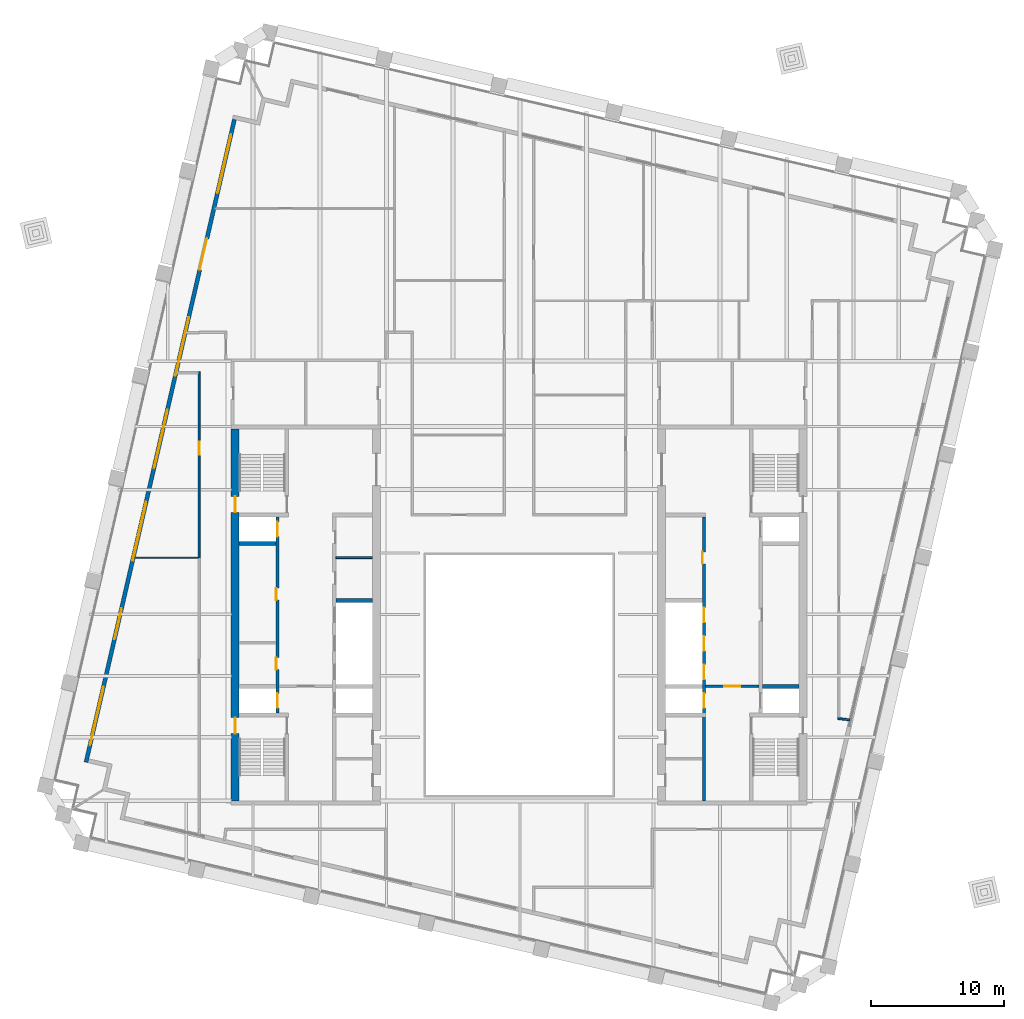
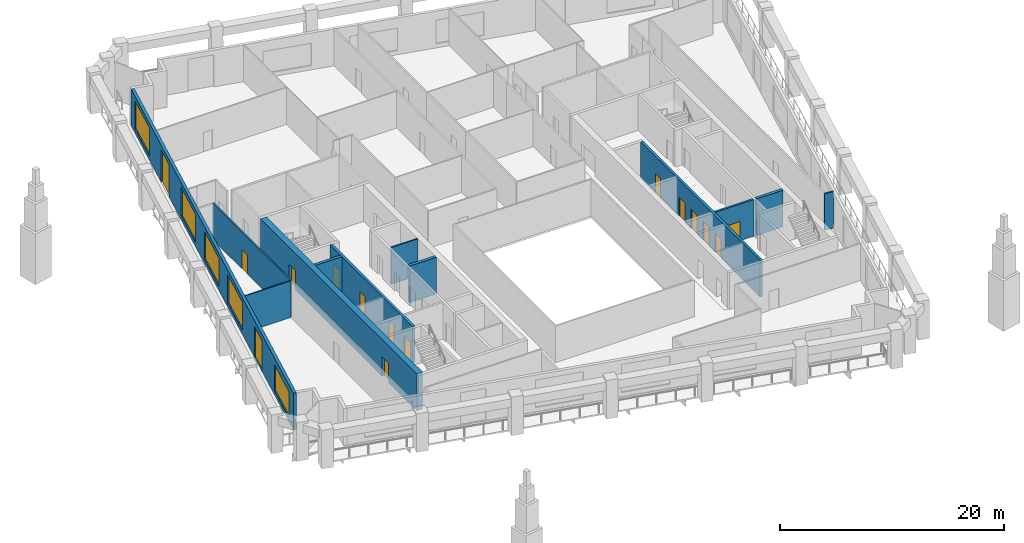
# One storey, part 5 of 9: 15 doors, 12 walls, 5 windows, 20 openings.
"""IFC4 building model written with IfcOpenShell, lengths in metres."""

from ifc_helpers import new_model, si_unit, direction, frame, frame_2d, origin, place, context, subcontext, project, spatial, rectangle, extrude, material, layer, layer_set, type_object, element, fill, save


model = new_model("IFC4")

# Units and contexts
model_context = context("Model", 3, precision=1e-05, world=origin(), true_north=direction((0.0, 1.0)))
body_context = subcontext(model_context, "Body", "Model", "MODEL_VIEW")
ifc_project = project(units=[si_unit("LENGTHUNIT", "METRE"), si_unit("AREAUNIT", "SQUARE_METRE"), si_unit("VOLUMEUNIT", "CUBIC_METRE"), si_unit("PLANEANGLEUNIT", "RADIAN"), si_unit("MASSUNIT", "GRAM", prefix="KILO")], contexts=[model_context])

# Site, building, storey
site_placement = place(None, origin())
site = spatial("IfcSite", under=ifc_project, at=site_placement, CompositionType="ELEMENT")
building_placement = place(site_placement, origin())
building = spatial("IfcBuilding", under=site, at=building_placement, Name="Ogive Exchange Tower", CompositionType="ELEMENT")
storey_placement = place(building_placement, frame((0.0, 0.0, 243.0)))
storey = spatial("IfcBuildingStorey", under=building, at=storey_placement, Name="L52", CompositionType="ELEMENT", Elevation=243.0)

# Wall
ifc_material_1 = material(Name="Gypsum board partition")
ifc_layer_1 = layer(ifc_material_1, 0.14990234375)
ifc_layer_set_1 = layer_set([ifc_layer_1], Name="Core room partition 150 gypsum")
wall_type_1 = type_object("IfcWallType", Name="Core room partition 150 gypsum", PredefinedType="PARTITIONING", material=ifc_layer_set_1)
wall_1_placement = place(storey_placement, frame((-13.75, 15.800048828125, 0.0), z_axis=(0.0, 0.0, 1.0), x_axis=(1.0, 0.0, 0.0)))
element("IfcWall", 1, at=wall_1_placement, inside=storey, type_object=wall_type_1, Name="W row B bay partition 4-1", PredefinedType="PARTITIONING", context=body_context, shape_type="SweptSolid", body=[
    extrude(rectangle(XDim=2.75, YDim=0.14990234375, at=frame_2d((1.375, 0.0))), origin(), (0.0, 0.0, 1.0), 4.0),
])

# Wall, opening, door
ifc_material_2 = material(Name="Fire partition EI 60 150")
ifc_layer_2 = layer(ifc_material_2, 0.14990234375)
ifc_layer_set_2 = layer_set([ifc_layer_2], Name="Fire partition EI 60 150")
wall_type_2 = type_object("IfcWallType", Name="Fire partition EI 60 150", PredefinedType="PARTITIONING", material=ifc_layer_set_2)
wall_2_placement = place(storey_placement, frame((-24.0, 15.7900390625, 0.0), z_axis=(0.0, 0.0, 1.0), x_axis=(0.0, 1.0, 0.0)))
wall_2 = element("IfcWall", 2, at=wall_2_placement, inside=storey, type_object=wall_type_2, Name="L52-PWL-004", PredefinedType="PARTITIONING", context=body_context, shape_type="SweptSolid", body=[
    extrude(rectangle(XDim=13.945068359375, YDim=0.14990234375, at=frame_2d((6.97265625, 0.0))), origin(), (0.0, 0.0, 1.0), 4.0),
])
opening_1_placement = place(wall_2_placement, frame((7.719970703125, 0.0, 0.0)))
opening_1 = element("IfcOpeningElement", 3, at=opening_1_placement, cuts=wall_2, Name="Opening L52-I04", PredefinedType="OPENING", context=body_context, shape_type="SweptSolid", body=[
    extrude(rectangle(XDim=1.0, YDim=2.10009765625, at=frame_2d((0.5, 1.050048828125))), frame((0.0, 0.0849609375, 0.0), z_axis=(0.0, -1.0, 0.0), x_axis=(1.0, 0.0, 0.0)), (0.0, 0.0, 1.0), 0.169921875),
])
ifc_material_3 = material(Name="Fire door FD 30S 1000 x 2100")
door_type_1 = type_object("IfcDoorType", Name="Fire door FD 30S 1000 x 2100", OperationType="NOTDEFINED", PredefinedType="DOOR", material=ifc_material_3)
door_1_placement = place(opening_1_placement, origin())
door_1 = element("IfcDoor", 4, at=door_1_placement, inside=storey, type_object=door_type_1, Name="L52-IDR-004", ObjectType="DT3", OperationType="SINGLE_SWING_LEFT", OverallHeight=2.10009765625, OverallWidth=1.0, PredefinedType="DOOR", context=body_context, shape_type="SweptSolid", body=[
    extrude(rectangle(XDim=1.0, YDim=2.10009765625, at=frame_2d((0.5, 1.050048828125))), frame((0.0, 0.02490234375, 0.0), z_axis=(0.0, -1.0, 0.0), x_axis=(1.0, 0.0, 0.0)), (0.0, 0.0, 1.0), 0.050048828125),
])
fill(opening_1, door_1)

# Wall
wall_3_placement = place(storey_placement, frame((23.925048828125, 3.72900390625, 0.0), z_axis=(0.0, 0.0, 1.0), x_axis=(0.993316052643, -0.115426251616, 0.0)))
element("IfcWall", 5, at=wall_3_placement, inside=storey, type_object=wall_type_2, Name="L52-PWL-054", PredefinedType="PARTITIONING", context=body_context, shape_type="SweptSolid", body=[
    extrude(rectangle(XDim=0.901123046875, YDim=0.14990234375, at=frame_2d((0.45068359375, 0.0))), origin(), (0.0, 0.0, 1.0), 4.0),
])

# Wall, openings, doors, windows
ifc_material_4 = material(Name="Precast concrete C40/50", Category="concrete")
ifc_layer_3 = layer(ifc_material_4, 0.300048828125)
ifc_layer_set_3 = layer_set([ifc_layer_3], Name="Limestone-faced wall 300")
wall_type_3 = type_object("IfcWallType", Name="Limestone-faced wall 300", PredefinedType="STANDARD", material=ifc_layer_set_3)
wall_4_placement = place(storey_placement, frame((-21.35888671875, 48.67822265625, 0.0), z_axis=(0.0, 0.0, 1.0), x_axis=(-0.224949198343, -0.974370493275, 0.0)))
wall_4 = element("IfcWall", 6, at=wall_4_placement, inside=storey, type_object=wall_type_3, Name="External wall W4", PredefinedType="STANDARD", context=body_context, shape_type="SweptSolid", body=[
    extrude(rectangle(XDim=49.5, YDim=0.300048828125, at=frame_2d((24.75, 0.0))), origin(), (0.0, 0.0, 1.0), 4.0),
])
opening_2_placement = place(wall_4_placement, frame((1.156982421875, 0.0, 0.449951171875)))
opening_2 = element("IfcOpeningElement", 7, at=opening_2_placement, cuts=wall_4, Name="Opening W1", PredefinedType="OPENING", context=body_context, shape_type="SweptSolid", body=[
    extrude(rectangle(XDim=4.5, YDim=3.050048828125, at=frame_2d((2.25, 1.52490234375))), frame((0.0, 0.159912109375, 0.0), z_axis=(0.0, -1.0, 0.0), x_axis=(1.0, 0.0, 0.0)), (0.0, 0.0, 1.0), 0.320068359375),
])
opening_3_placement = place(wall_4_placement, frame((9.17138671875, 0.0, 0.0)))
opening_3 = element("IfcOpeningElement", 8, at=opening_3_placement, cuts=wall_4, Name="Opening D1", PredefinedType="OPENING", context=body_context, shape_type="SweptSolid", body=[
    extrude(rectangle(XDim=2.39990234375, YDim=3.5, at=frame_2d((1.199951171875, 1.75))), frame((0.0, 0.159912109375, 0.0), z_axis=(0.0, -1.0, 0.0), x_axis=(1.0, 0.0, 0.0)), (0.0, 0.0, 1.0), 0.320068359375),
])
opening_4_placement = place(wall_4_placement, frame((15.235595703125, 0.0, 0.449951171875)))
opening_4 = element("IfcOpeningElement", 9, at=opening_4_placement, cuts=wall_4, Name="Opening W1", PredefinedType="OPENING", context=body_context, shape_type="SweptSolid", body=[
    extrude(rectangle(XDim=4.5, YDim=3.050048828125, at=frame_2d((2.25, 1.52490234375))), frame((0.0, 0.159912109375, 0.0), z_axis=(0.0, -1.0, 0.0), x_axis=(1.0, 0.0, 0.0)), (0.0, 0.0, 1.0), 0.320068359375),
])
opening_5_placement = place(wall_4_placement, frame((22.35009765625, 0.0, 0.449951171875)))
opening_5 = element("IfcOpeningElement", 10, at=opening_5_placement, cuts=wall_4, Name="Opening W1", PredefinedType="OPENING", context=body_context, shape_type="SweptSolid", body=[
    extrude(rectangle(XDim=4.5, YDim=3.050048828125, at=frame_2d((2.25, 1.52490234375))), frame((0.0, 0.159912109375, 0.0), z_axis=(0.0, -1.0, 0.0), x_axis=(1.0, 0.0, 0.0)), (0.0, 0.0, 1.0), 0.320068359375),
])
opening_6_placement = place(wall_4_placement, frame((29.464111328125, 0.0, 0.449951171875)))
opening_6 = element("IfcOpeningElement", 11, at=opening_6_placement, cuts=wall_4, Name="Opening W1", PredefinedType="OPENING", context=body_context, shape_type="SweptSolid", body=[
    extrude(rectangle(XDim=4.5, YDim=3.050048828125, at=frame_2d((2.25, 1.52490234375))), frame((0.0, 0.159912109375, 0.0), z_axis=(0.0, -1.0, 0.0), x_axis=(1.0, 0.0, 0.0)), (0.0, 0.0, 1.0), 0.320068359375),
])
opening_7_placement = place(wall_4_placement, frame((37.62841796875, 0.0, 0.0)))
opening_7 = element("IfcOpeningElement", 12, at=opening_7_placement, cuts=wall_4, Name="Opening D1C", PredefinedType="OPENING", context=body_context, shape_type="SweptSolid", body=[
    extrude(rectangle(XDim=2.39990234375, YDim=3.324951171875, at=frame_2d((1.199951171875, 1.66259765625))), frame((0.0, 0.159912109375, 0.0), z_axis=(0.0, -1.0, 0.0), x_axis=(1.0, 0.0, 0.0)), (0.0, 0.0, 1.0), 0.320068359375),
])
opening_8_placement = place(wall_4_placement, frame((43.69287109375, 0.0, 0.449951171875)))
opening_8 = element("IfcOpeningElement", 13, at=opening_8_placement, cuts=wall_4, Name="Opening W1E", PredefinedType="OPENING", context=body_context, shape_type="SweptSolid", body=[
    extrude(rectangle(XDim=4.5, YDim=2.824951171875, at=frame_2d((2.25, 1.41259765625))), frame((0.0, 0.159912109375, 0.0), z_axis=(0.0, -1.0, 0.0), x_axis=(1.0, 0.0, 0.0)), (0.0, 0.0, 1.0), 0.320068359375),
])
ifc_material_5 = material(Name="Clear glass in bronze frame", Category="glass")
door_type_2 = type_object("IfcDoorType", Name="Sliding loggia door 2400 x 3325", OperationType="DOUBLE_DOOR_SLIDING", PredefinedType="DOOR", material=ifc_material_5)
door_2_placement = place(opening_7_placement, origin())
door_2 = element("IfcDoor", 14, at=door_2_placement, inside=storey, type_object=door_type_2, Name="Loggia door W05", OperationType="DOUBLE_DOOR_SLIDING", OverallHeight=3.324951171875, OverallWidth=2.39990234375, PredefinedType="DOOR", context=body_context, shape_type="SweptSolid", body=[
    extrude(rectangle(XDim=2.39990234375, YDim=3.324951171875, at=frame_2d((1.199951171875, 1.66259765625))), frame((0.0, 0.02490234375, 0.0), z_axis=(0.0, -1.0, 0.0), x_axis=(1.0, 0.0, 0.0)), (0.0, 0.0, 1.0), 0.050048828125),
])
fill(opening_7, door_2)
door_type_3 = type_object("IfcDoorType", Name="Sliding loggia door 2400 x 3500", OperationType="DOUBLE_DOOR_SLIDING", PredefinedType="DOOR", material=ifc_material_5)
door_3_placement = place(opening_3_placement, origin())
door_3 = element("IfcDoor", 15, at=door_3_placement, inside=storey, type_object=door_type_3, Name="Loggia door W01", OperationType="DOUBLE_DOOR_SLIDING", OverallHeight=3.5, OverallWidth=2.39990234375, PredefinedType="DOOR", context=body_context, shape_type="SweptSolid", body=[
    extrude(rectangle(XDim=2.39990234375, YDim=3.5, at=frame_2d((1.199951171875, 1.75))), frame((0.0, 0.02490234375, 0.0), z_axis=(0.0, -1.0, 0.0), x_axis=(1.0, 0.0, 0.0)), (0.0, 0.0, 1.0), 0.050048828125),
])
fill(opening_3, door_3)
window_type_1 = type_object("IfcWindowType", Name="Twin lancet window 4500 x 2825", PartitioningType="DOUBLE_PANEL_VERTICAL", PredefinedType="WINDOW", material=ifc_material_5)
window_1_placement = place(opening_8_placement, origin())
window_1 = element("IfcWindow", 16, at=window_1_placement, inside=storey, type_object=window_type_1, Name="Window W06", OverallHeight=2.824951171875, OverallWidth=4.5, PartitioningType="DOUBLE_PANEL_VERTICAL", PredefinedType="WINDOW", context=body_context, shape_type="SweptSolid", body=[
    extrude(rectangle(XDim=4.5, YDim=2.824951171875, at=frame_2d((2.25, 1.41259765625))), frame((0.0, 0.030029296875, 0.0), z_axis=(0.0, -1.0, 0.0), x_axis=(1.0, 0.0, 0.0)), (0.0, 0.0, 1.0), 0.06005859375),
])
fill(opening_8, window_1)
window_type_2 = type_object("IfcWindowType", Name="Twin lancet window 4500 x 3050", PartitioningType="DOUBLE_PANEL_VERTICAL", PredefinedType="WINDOW", material=ifc_material_5)
window_2_placement = place(opening_2_placement, origin())
window_2 = element("IfcWindow", 17, at=window_2_placement, inside=storey, type_object=window_type_2, Name="Window W00", OverallHeight=3.050048828125, OverallWidth=4.5, PartitioningType="DOUBLE_PANEL_VERTICAL", PredefinedType="WINDOW", context=body_context, shape_type="SweptSolid", body=[
    extrude(rectangle(XDim=4.5, YDim=3.050048828125, at=frame_2d((2.25, 1.52490234375))), frame((0.0, 0.030029296875, 0.0), z_axis=(0.0, -1.0, 0.0), x_axis=(1.0, 0.0, 0.0)), (0.0, 0.0, 1.0), 0.06005859375),
])
fill(opening_2, window_2)
window_3_placement = place(opening_4_placement, origin())
window_3 = element("IfcWindow", 18, at=window_3_placement, inside=storey, type_object=window_type_2, Name="Window W02", OverallHeight=3.050048828125, OverallWidth=4.5, PartitioningType="DOUBLE_PANEL_VERTICAL", PredefinedType="WINDOW", context=body_context, shape_type="SweptSolid", body=[
    extrude(rectangle(XDim=4.5, YDim=3.050048828125, at=frame_2d((2.25, 1.52490234375))), frame((0.0, 0.030029296875, 0.0), z_axis=(0.0, -1.0, 0.0), x_axis=(1.0, 0.0, 0.0)), (0.0, 0.0, 1.0), 0.06005859375),
])
fill(opening_4, window_3)
window_4_placement = place(opening_5_placement, origin())
window_4 = element("IfcWindow", 19, at=window_4_placement, inside=storey, type_object=window_type_2, Name="Window W03", OverallHeight=3.050048828125, OverallWidth=4.5, PartitioningType="DOUBLE_PANEL_VERTICAL", PredefinedType="WINDOW", context=body_context, shape_type="SweptSolid", body=[
    extrude(rectangle(XDim=4.5, YDim=3.050048828125, at=frame_2d((2.25, 1.52490234375))), frame((0.0, 0.030029296875, 0.0), z_axis=(0.0, -1.0, 0.0), x_axis=(1.0, 0.0, 0.0)), (0.0, 0.0, 1.0), 0.06005859375),
])
fill(opening_5, window_4)
window_5_placement = place(opening_6_placement, origin())
window_5 = element("IfcWindow", 20, at=window_5_placement, inside=storey, type_object=window_type_2, Name="Window W04", OverallHeight=3.050048828125, OverallWidth=4.5, PartitioningType="DOUBLE_PANEL_VERTICAL", PredefinedType="WINDOW", context=body_context, shape_type="SweptSolid", body=[
    extrude(rectangle(XDim=4.5, YDim=3.050048828125, at=frame_2d((2.25, 1.52490234375))), frame((0.0, 0.030029296875, 0.0), z_axis=(0.0, -1.0, 0.0), x_axis=(1.0, 0.0, 0.0)), (0.0, 0.0, 1.0), 0.06005859375),
])
fill(opening_6, window_5)

# Wall
ifc_material_6 = material(Name="Partition 100 gypsum")
ifc_layer_4 = layer(ifc_material_6, 0.10009765625)
ifc_layer_set_4 = layer_set([ifc_layer_4], Name="Partition 100 gypsum")
wall_type_4 = type_object("IfcWallType", Name="Partition 100 gypsum", PredefinedType="PARTITIONING", material=ifc_layer_set_4)
wall_5_placement = place(storey_placement, frame((-24.074951171875, 15.7900390625, 0.0), z_axis=(0.0, 0.0, 1.0), x_axis=(-1.0, 0.0, 0.0)))
element("IfcWall", 21, at=wall_5_placement, inside=storey, type_object=wall_type_4, Name="L52-PWL-003", PredefinedType="PARTITIONING", context=body_context, shape_type="SweptSolid", body=[
    extrude(rectangle(XDim=4.804931640625, YDim=0.10009765625, at=frame_2d((2.40234375, 0.0))), origin(), (0.0, 0.0, 1.0), 4.0),
])

# Wall, opening, door
ifc_material_7 = material(Name="Concrete C70/85", Category="concrete")
ifc_layer_5 = layer(ifc_material_7, 0.199951171875)
ifc_layer_set_5 = layer_set([ifc_layer_5], Name="RC core wall 200 C70/85")
wall_type_5 = type_object("IfcWallType", Name="RC core wall 200 C70/85", PredefinedType="SHEAR", material=ifc_layer_set_5)
wall_6_placement = place(storey_placement, frame((14.0, 6.142822265625, 0.0), z_axis=(0.0, 0.0, 1.0), x_axis=(1.0, 0.0, 0.0)))
wall_6 = element("IfcWall", 22, at=wall_6_placement, inside=storey, type_object=wall_type_5, Name="E firefighting lobby wall", PredefinedType="SHEAR", context=body_context, shape_type="SweptSolid", body=[
    extrude(rectangle(XDim=4.0, YDim=0.199951171875, at=frame_2d((2.0, 0.0))), origin(), (0.0, 0.0, 1.0), 4.0),
])
opening_9_placement = place(wall_6_placement, frame((1.39990234375, 0.0, 0.0)))
opening_9 = element("IfcOpeningElement", 23, at=opening_9_placement, cuts=wall_6, Name="Opening L52-C29", PredefinedType="OPENING", context=body_context, shape_type="SweptSolid", body=[
    extrude(rectangle(XDim=1.199951171875, YDim=2.10009765625, at=frame_2d((0.60009765625, 1.050048828125))), frame((0.0, 0.10986328125, 0.0), z_axis=(0.0, -1.0, 0.0), x_axis=(1.0, 0.0, 0.0)), (0.0, 0.0, 1.0), 0.219970703125),
])
ifc_material_8 = material(Name="Steel fire door", Category="steel")
door_type_4 = type_object("IfcDoorType", Name="Firefighting lobby door FD60 1200 x 2100", OperationType="NOTDEFINED", PredefinedType="DOOR", material=ifc_material_8)
door_4_placement = place(opening_9_placement, frame((1.199951171875, 0.0, 0.0), z_axis=(0.0, 0.0, 1.0), x_axis=(-1.0, 0.0, 0.0)))
door_4 = element("IfcDoor", 24, at=door_4_placement, inside=storey, type_object=door_type_4, Name="Firefighting lobby door", ObjectType="CD3", OperationType="SINGLE_SWING_LEFT", OverallHeight=2.10009765625, OverallWidth=1.199951171875, PredefinedType="DOOR", context=body_context, shape_type="SweptSolid", body=[
    extrude(rectangle(XDim=1.199951171875, YDim=2.10009765625, at=frame_2d((0.60009765625, 1.050048828125))), frame((0.0, 0.02490234375, 0.0), z_axis=(0.0, -1.0, 0.0), x_axis=(1.0, 0.0, 0.0)), (0.0, 0.0, 1.0), 0.050048828125),
])
fill(opening_9, door_4)

# Wall, openings, doors
ifc_layer_6 = layer(ifc_material_7, 0.25)
ifc_layer_set_6 = layer_set([ifc_layer_6], Name="RC core wall 250 C70/85")
wall_type_6 = type_object("IfcWallType", Name="RC core wall 250 C70/85", PredefinedType="SHEAR", material=ifc_layer_set_6)
wall_7_placement = place(storey_placement, frame((-18.125, 4.14990234375, 0.0), z_axis=(0.0, 0.0, 1.0), x_axis=(0.0, 1.0, 0.0)))
wall_7 = element("IfcWall", 25, at=wall_7_placement, inside=storey, type_object=wall_type_6, Name="W row A front wall", PredefinedType="SHEAR", context=body_context, shape_type="SweptSolid", body=[
    extrude(rectangle(XDim=14.7001953125, YDim=0.25, at=frame_2d((7.35009765625, 0.0))), origin(), (0.0, 0.0, 1.0), 4.0),
])
opening_10_placement = place(wall_7_placement, frame((3.246337890625, 0.0, 0.0)))
opening_10 = element("IfcOpeningElement", 26, at=opening_10_placement, cuts=wall_7, Name="Opening L52-C01", PredefinedType="OPENING", context=body_context, shape_type="SweptSolid", body=[
    extrude(rectangle(XDim=0.89990234375, YDim=2.10009765625, at=frame_2d((0.449951171875, 1.050048828125))), frame((0.0, 0.135009765625, 0.0), z_axis=(0.0, -1.0, 0.0), x_axis=(1.0, 0.0, 0.0)), (0.0, 0.0, 1.0), 0.27001953125),
])
opening_11_placement = place(wall_7_placement, frame((8.45361328125, 0.0, 0.0)))
opening_11 = element("IfcOpeningElement", 27, at=opening_11_placement, cuts=wall_7, Name="Opening L52-C02", PredefinedType="OPENING", context=body_context, shape_type="SweptSolid", body=[
    extrude(rectangle(XDim=0.89990234375, YDim=2.10009765625, at=frame_2d((0.449951171875, 1.050048828125))), frame((0.0, 0.135009765625, 0.0), z_axis=(0.0, -1.0, 0.0), x_axis=(1.0, 0.0, 0.0)), (0.0, 0.0, 1.0), 0.27001953125),
])
opening_12_placement = place(wall_7_placement, frame((0.371337890625, 0.0, 0.0)))
opening_12 = element("IfcOpeningElement", 28, at=opening_12_placement, cuts=wall_7, Name="Opening L52-C03", PredefinedType="OPENING", context=body_context, shape_type="SweptSolid", body=[
    extrude(rectangle(XDim=1.10009765625, YDim=2.10009765625, at=frame_2d((0.550048828125, 1.050048828125))), frame((0.0, 0.135009765625, 0.0), z_axis=(0.0, -1.0, 0.0), x_axis=(1.0, 0.0, 0.0)), (0.0, 0.0, 1.0), 0.27001953125),
])
opening_13_placement = place(wall_7_placement, frame((13.228515625, 0.0, 0.0)))
opening_13 = element("IfcOpeningElement", 29, at=opening_13_placement, cuts=wall_7, Name="Opening L52-C04", PredefinedType="OPENING", context=body_context, shape_type="SweptSolid", body=[
    extrude(rectangle(XDim=1.10009765625, YDim=2.10009765625, at=frame_2d((0.550048828125, 1.050048828125))), frame((0.0, 0.135009765625, 0.0), z_axis=(0.0, -1.0, 0.0), x_axis=(1.0, 0.0, 0.0)), (0.0, 0.0, 1.0), 0.27001953125),
])
ifc_material_9 = material(Name="Timber fire door", Category="wood")
door_type_5 = type_object("IfcDoorType", Name="Core room door FD30S 900 x 2100", OperationType="NOTDEFINED", PredefinedType="DOOR", material=ifc_material_9)
door_5_placement = place(opening_11_placement, origin())
door_5 = element("IfcDoor", 30, at=door_5_placement, inside=storey, type_object=door_type_5, Name="Core room door", ObjectType="CD6", OperationType="SINGLE_SWING_RIGHT", OverallHeight=2.10009765625, OverallWidth=0.89990234375, PredefinedType="DOOR", context=body_context, shape_type="SweptSolid", body=[
    extrude(rectangle(XDim=0.89990234375, YDim=2.10009765625, at=frame_2d((0.449951171875, 1.050048828125))), frame((0.0, 0.125, 0.0), z_axis=(0.0, -1.0, 0.0), x_axis=(1.0, 0.0, 0.0)), (0.0, 0.0, 1.0), 0.050048828125),
])
fill(opening_11, door_5)
ifc_material_10 = material(Name="Stainless steel", Category="steel")
door_type_6 = type_object("IfcDoorType", Name="Lift landing door FD90 1100 x 2100", OperationType="SLIDING_TO_LEFT", PredefinedType="DOOR", material=ifc_material_10)
door_6_placement = place(opening_12_placement, origin())
door_6 = element("IfcDoor", 31, at=door_6_placement, inside=storey, type_object=door_type_6, Name="Lift landing door FF1", ObjectType="LD", OperationType="SLIDING_TO_LEFT", OverallHeight=2.10009765625, OverallWidth=1.10009765625, PredefinedType="DOOR", context=body_context, shape_type="SweptSolid", body=[
    extrude(rectangle(XDim=1.10009765625, YDim=2.10009765625, at=frame_2d((0.550048828125, 1.050048828125))), frame((0.0, 0.02490234375, 0.0), z_axis=(0.0, -1.0, 0.0), x_axis=(1.0, 0.0, 0.0)), (0.0, 0.0, 1.0), 0.050048828125),
])
fill(opening_12, door_6)
door_7_placement = place(opening_13_placement, origin())
door_7 = element("IfcDoor", 32, at=door_7_placement, inside=storey, type_object=door_type_6, Name="Lift landing door W-SH2", ObjectType="LD", OperationType="SLIDING_TO_LEFT", OverallHeight=2.10009765625, OverallWidth=1.10009765625, PredefinedType="DOOR", context=body_context, shape_type="SweptSolid", body=[
    extrude(rectangle(XDim=1.10009765625, YDim=2.10009765625, at=frame_2d((0.550048828125, 1.050048828125))), frame((0.0, 0.02490234375, 0.0), z_axis=(0.0, -1.0, 0.0), x_axis=(1.0, 0.0, 0.0)), (0.0, 0.0, 1.0), 0.050048828125),
])
fill(opening_13, door_7)
door_type_7 = type_object("IfcDoorType", Name="Riser door FD60 900 x 2100", OperationType="NOTDEFINED", PredefinedType="DOOR", material=ifc_material_8)
door_8_placement = place(opening_10_placement, origin())
door_8 = element("IfcDoor", 33, at=door_8_placement, inside=storey, type_object=door_type_7, Name="Riser door", ObjectType="CD2", OperationType="SINGLE_SWING_RIGHT", OverallHeight=2.10009765625, OverallWidth=0.89990234375, PredefinedType="DOOR", context=body_context, shape_type="SweptSolid", body=[
    extrude(rectangle(XDim=0.89990234375, YDim=2.10009765625, at=frame_2d((0.449951171875, 1.050048828125))), frame((0.0, 0.125, 0.0), z_axis=(0.0, -1.0, 0.0), x_axis=(1.0, 0.0, 0.0)), (0.0, 0.0, 1.0), 0.050048828125),
])
fill(opening_10, door_8)

wall_8_placement = place(storey_placement, frame((13.875, -2.449951171875, 0.0), z_axis=(0.0, 0.0, 1.0), x_axis=(0.0, 1.0, 0.0)))
wall_8 = element("IfcWall", 34, at=wall_8_placement, inside=storey, type_object=wall_type_6, Name="E row B front wall", PredefinedType="SHEAR", context=body_context, shape_type="SweptSolid", body=[
    extrude(rectangle(XDim=21.300048828125, YDim=0.25, at=frame_2d((10.64990234375, 0.0))), origin(), (0.0, 0.0, 1.0), 4.0),
])
opening_14_placement = place(wall_8_placement, frame((17.78564453125, 0.0, 0.0)))
opening_14 = element("IfcOpeningElement", 35, at=opening_14_placement, cuts=wall_8, Name="Opening L52-C24", PredefinedType="OPENING", context=body_context, shape_type="SweptSolid", body=[
    extrude(rectangle(XDim=0.89990234375, YDim=2.10009765625, at=frame_2d((0.449951171875, 1.050048828125))), frame((0.0, 0.135009765625, 0.0), z_axis=(0.0, -1.0, 0.0), x_axis=(1.0, 0.0, 0.0)), (0.0, 0.0, 1.0), 0.27001953125),
])
opening_15_placement = place(wall_8_placement, frame((6.971435546875, 0.0, 0.0)))
opening_15 = element("IfcOpeningElement", 36, at=opening_15_placement, cuts=wall_8, Name="Opening L52-C25", PredefinedType="OPENING", context=body_context, shape_type="SweptSolid", body=[
    extrude(rectangle(XDim=1.10009765625, YDim=2.10009765625, at=frame_2d((0.550048828125, 1.050048828125))), frame((0.0, 0.135009765625, 0.0), z_axis=(0.0, -1.0, 0.0), x_axis=(1.0, 0.0, 0.0)), (0.0, 0.0, 1.0), 0.27001953125),
])
opening_16_placement = place(wall_8_placement, frame((9.1142578125, 0.0, 0.0)))
opening_16 = element("IfcOpeningElement", 37, at=opening_16_placement, cuts=wall_8, Name="Opening L52-C26", PredefinedType="OPENING", context=body_context, shape_type="SweptSolid", body=[
    extrude(rectangle(XDim=1.10009765625, YDim=2.10009765625, at=frame_2d((0.550048828125, 1.050048828125))), frame((0.0, 0.135009765625, 0.0), z_axis=(0.0, -1.0, 0.0), x_axis=(1.0, 0.0, 0.0)), (0.0, 0.0, 1.0), 0.27001953125),
])
opening_17_placement = place(wall_8_placement, frame((11.257080078125, 0.0, 0.0)))
opening_17 = element("IfcOpeningElement", 38, at=opening_17_placement, cuts=wall_8, Name="Opening L52-C27", PredefinedType="OPENING", context=body_context, shape_type="SweptSolid", body=[
    extrude(rectangle(XDim=1.10009765625, YDim=2.10009765625, at=frame_2d((0.550048828125, 1.050048828125))), frame((0.0, 0.135009765625, 0.0), z_axis=(0.0, -1.0, 0.0), x_axis=(1.0, 0.0, 0.0)), (0.0, 0.0, 1.0), 0.27001953125),
])
opening_18_placement = place(wall_8_placement, frame((13.39990234375, 0.0, 0.0)))
opening_18 = element("IfcOpeningElement", 39, at=opening_18_placement, cuts=wall_8, Name="Opening L52-C28", PredefinedType="OPENING", context=body_context, shape_type="SweptSolid", body=[
    extrude(rectangle(XDim=1.10009765625, YDim=2.10009765625, at=frame_2d((0.550048828125, 1.050048828125))), frame((0.0, 0.135009765625, 0.0), z_axis=(0.0, -1.0, 0.0), x_axis=(1.0, 0.0, 0.0)), (0.0, 0.0, 1.0), 0.27001953125),
])
door_9_placement = place(opening_15_placement, origin())
door_9 = element("IfcDoor", 40, at=door_9_placement, inside=storey, type_object=door_type_6, Name="Lift landing door SV2", ObjectType="LD", OperationType="SLIDING_TO_LEFT", OverallHeight=2.10009765625, OverallWidth=1.10009765625, PredefinedType="DOOR", context=body_context, shape_type="SweptSolid", body=[
    extrude(rectangle(XDim=1.10009765625, YDim=2.10009765625, at=frame_2d((0.550048828125, 1.050048828125))), frame((0.0, 0.02490234375, 0.0), z_axis=(0.0, -1.0, 0.0), x_axis=(1.0, 0.0, 0.0)), (0.0, 0.0, 1.0), 0.050048828125),
])
fill(opening_15, door_9)
door_10_placement = place(opening_16_placement, origin())
door_10 = element("IfcDoor", 41, at=door_10_placement, inside=storey, type_object=door_type_6, Name="Lift landing door E-M1", ObjectType="LD", OperationType="SLIDING_TO_LEFT", OverallHeight=2.10009765625, OverallWidth=1.10009765625, PredefinedType="DOOR", context=body_context, shape_type="SweptSolid", body=[
    extrude(rectangle(XDim=1.10009765625, YDim=2.10009765625, at=frame_2d((0.550048828125, 1.050048828125))), frame((0.0, 0.02490234375, 0.0), z_axis=(0.0, -1.0, 0.0), x_axis=(1.0, 0.0, 0.0)), (0.0, 0.0, 1.0), 0.050048828125),
])
fill(opening_16, door_10)
door_11_placement = place(opening_17_placement, origin())
door_11 = element("IfcDoor", 42, at=door_11_placement, inside=storey, type_object=door_type_6, Name="Lift landing door E-M2", ObjectType="LD", OperationType="SLIDING_TO_LEFT", OverallHeight=2.10009765625, OverallWidth=1.10009765625, PredefinedType="DOOR", context=body_context, shape_type="SweptSolid", body=[
    extrude(rectangle(XDim=1.10009765625, YDim=2.10009765625, at=frame_2d((0.550048828125, 1.050048828125))), frame((0.0, 0.02490234375, 0.0), z_axis=(0.0, -1.0, 0.0), x_axis=(1.0, 0.0, 0.0)), (0.0, 0.0, 1.0), 0.050048828125),
])
fill(opening_17, door_11)
door_12_placement = place(opening_18_placement, origin())
door_12 = element("IfcDoor", 43, at=door_12_placement, inside=storey, type_object=door_type_6, Name="Lift landing door E-M3", ObjectType="LD", OperationType="SLIDING_TO_LEFT", OverallHeight=2.10009765625, OverallWidth=1.10009765625, PredefinedType="DOOR", context=body_context, shape_type="SweptSolid", body=[
    extrude(rectangle(XDim=1.10009765625, YDim=2.10009765625, at=frame_2d((0.550048828125, 1.050048828125))), frame((0.0, 0.02490234375, 0.0), z_axis=(0.0, -1.0, 0.0), x_axis=(1.0, 0.0, 0.0)), (0.0, 0.0, 1.0), 0.050048828125),
])
fill(opening_18, door_12)
door_13_placement = place(opening_14_placement, origin())
door_13 = element("IfcDoor", 44, at=door_13_placement, inside=storey, type_object=door_type_7, Name="Riser door", ObjectType="CD2", OperationType="SINGLE_SWING_LEFT", OverallHeight=2.10009765625, OverallWidth=0.89990234375, PredefinedType="DOOR", context=body_context, shape_type="SweptSolid", body=[
    extrude(rectangle(XDim=0.89990234375, YDim=2.10009765625, at=frame_2d((0.449951171875, 1.050048828125))), frame((0.0, 0.125, 0.0), z_axis=(0.0, -1.0, 0.0), x_axis=(1.0, 0.0, 0.0)), (0.0, 0.0, 1.0), 0.050048828125),
])
fill(opening_14, door_13)

# Walls
ifc_layer_7 = layer(ifc_material_7, 0.300048828125)
ifc_layer_set_7 = layer_set([ifc_layer_7], Name="RC core wall 300 C70/85")
wall_type_7 = type_object("IfcWallType", Name="RC core wall 300 C70/85", PredefinedType="SHEAR", material=ifc_layer_set_7)
for number, where, z_axis, x_axis, name in (
    (45, (-21.0, 16.857177734375, 0.0), (0.0, 0.0, 1.0), (1.0, 0.0, 0.0), "W row A divider 6"),
    (46, (-13.75, 12.5712890625, 0.0), (0.0, 0.0, 1.0), (1.0, 0.0, 0.0), "W row B divider 4"),
    (47, (18.25, 6.142822265625, 0.0), (0.0, 0.0, 1.0), (1.0, 0.0, 0.0), "E row A divider 1"),
):
    element("IfcWall", number, at=place(storey_placement, frame(where, z_axis=z_axis, x_axis=x_axis)), inside=storey, type_object=wall_type_7, Name=name, PredefinedType="SHEAR", context=body_context, shape_type="SweptSolid", body=[
        extrude(rectangle(XDim=2.75, YDim=0.300048828125, at=frame_2d((1.375, 0.0))), origin(), (0.0, 0.0, 1.0), 4.0),
    ])

# Wall, openings, doors
ifc_layer_8 = layer(ifc_material_7, 0.60009765625)
ifc_layer_set_8 = layer_set([ifc_layer_8], Name="RC core wall 600 C70/85")
wall_type_8 = type_object("IfcWallType", Name="RC core wall 600 C70/85", PredefinedType="SHEAR", material=ifc_layer_set_8)
wall_9_placement = place(storey_placement, frame((-21.300048828125, -2.449951171875, 0.0), z_axis=(0.0, 0.0, 1.0), x_axis=(0.0, 1.0, 0.0)))
wall_9 = element("IfcWall", 48, at=wall_9_placement, inside=storey, type_object=wall_type_8, Name="W outer wall", PredefinedType="SHEAR", context=body_context, shape_type="SweptSolid", body=[
    extrude(rectangle(XDim=27.89990234375, YDim=0.60009765625, at=frame_2d((13.949951171875, 0.0))), origin(), (0.0, 0.0, 1.0), 4.0),
])
opening_19_placement = place(wall_9_placement, frame((5.050048828125, 0.0, 0.0)))
opening_19 = element("IfcOpeningElement", 49, at=opening_19_placement, cuts=wall_9, Name="Opening L52-C14", PredefinedType="OPENING", context=body_context, shape_type="SweptSolid", body=[
    extrude(rectangle(XDim=1.199951171875, YDim=2.10009765625, at=frame_2d((0.60009765625, 1.050048828125))), frame((0.0, 0.31005859375, 0.0), z_axis=(0.0, -1.0, 0.0), x_axis=(1.0, 0.0, 0.0)), (0.0, 0.0, 1.0), 0.6201171875),
])
opening_20_placement = place(wall_9_placement, frame((21.64990234375, 0.0, 0.0)))
opening_20 = element("IfcOpeningElement", 50, at=opening_20_placement, cuts=wall_9, Name="Opening L52-C16", PredefinedType="OPENING", context=body_context, shape_type="SweptSolid", body=[
    extrude(rectangle(XDim=1.199951171875, YDim=2.10009765625, at=frame_2d((0.60009765625, 1.050048828125))), frame((0.0, 0.31005859375, 0.0), z_axis=(0.0, -1.0, 0.0), x_axis=(1.0, 0.0, 0.0)), (0.0, 0.0, 1.0), 0.6201171875),
])
door_type_8 = type_object("IfcDoorType", Name="Stair door FD90 1200 x 2100", OperationType="NOTDEFINED", PredefinedType="DOOR", material=ifc_material_8)
door_14_placement = place(opening_19_placement, origin())
door_14 = element("IfcDoor", 51, at=door_14_placement, inside=storey, type_object=door_type_8, Name="Stair door", ObjectType="CD5", OperationType="SINGLE_SWING_RIGHT", OverallHeight=2.10009765625, OverallWidth=1.199951171875, PredefinedType="DOOR", context=body_context, shape_type="SweptSolid", body=[
    extrude(rectangle(XDim=1.199951171875, YDim=2.10009765625, at=frame_2d((0.60009765625, 1.050048828125))), frame((0.0, 0.02490234375, 0.0), z_axis=(0.0, -1.0, 0.0), x_axis=(1.0, 0.0, 0.0)), (0.0, 0.0, 1.0), 0.050048828125),
])
fill(opening_19, door_14)
door_15_placement = place(opening_20_placement, origin())
door_15 = element("IfcDoor", 52, at=door_15_placement, inside=storey, type_object=door_type_8, Name="Stair door", ObjectType="CD5", OperationType="SINGLE_SWING_RIGHT", OverallHeight=2.10009765625, OverallWidth=1.199951171875, PredefinedType="DOOR", context=body_context, shape_type="SweptSolid", body=[
    extrude(rectangle(XDim=1.199951171875, YDim=2.10009765625, at=frame_2d((0.60009765625, 1.050048828125))), frame((0.0, 0.02490234375, 0.0), z_axis=(0.0, -1.0, 0.0), x_axis=(1.0, 0.0, 0.0)), (0.0, 0.0, 1.0), 0.050048828125),
])
fill(opening_20, door_15)

save(model, "model.ifc")
